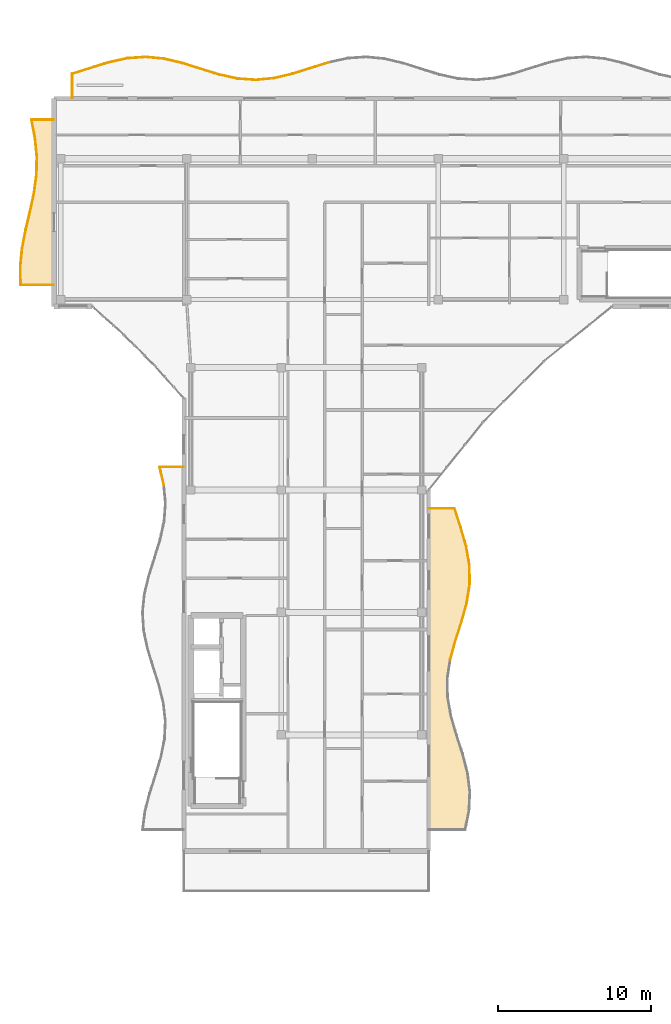
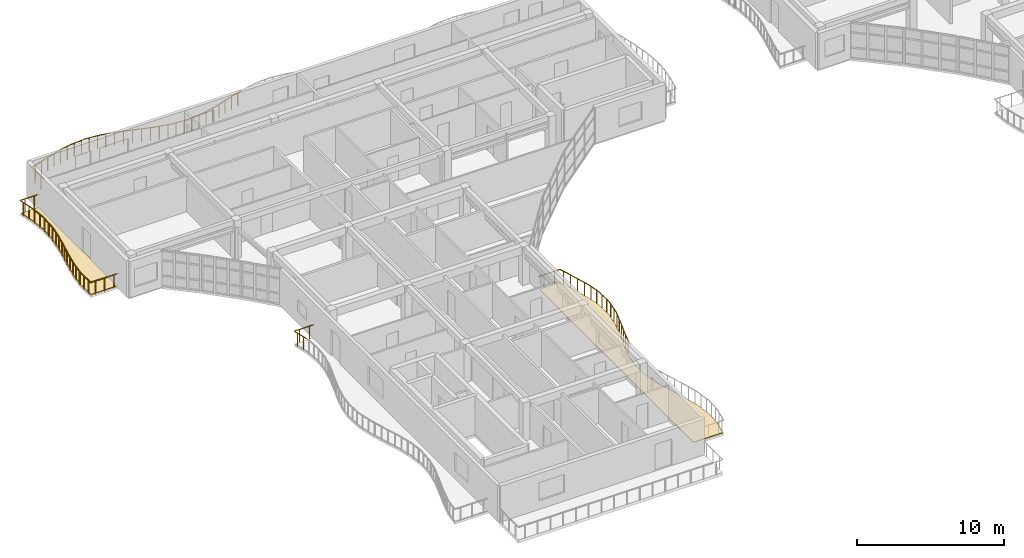
# One storey, part 38 of 49: 37 railings, 2 coverings.
"""IFC4 building model written with IfcOpenShell, lengths in metres."""

from ifc_helpers import new_model, si_unit, direction, frame, origin, origin_2d, place, context, subcontext, project, spatial, polyline, circle, outline, extrude, material, layer, layer_set, type_object, element, save


model = new_model("IFC4")

# Units and contexts
model_context = context("Model", 3, precision=1e-05, world=origin(), true_north=direction((0.0, 1.0)))
body_context = subcontext(model_context, "Body", "Model", "MODEL_VIEW")
ifc_project = project(units=[si_unit("LENGTHUNIT", "METRE"), si_unit("AREAUNIT", "SQUARE_METRE"), si_unit("VOLUMEUNIT", "CUBIC_METRE"), si_unit("PLANEANGLEUNIT", "RADIAN"), si_unit("MASSUNIT", "GRAM", prefix="KILO")], contexts=[model_context])

# Site, building, storey
site_placement = place(None, origin())
site = spatial("IfcSite", under=ifc_project, at=site_placement, CompositionType="ELEMENT")
building_placement = place(site_placement, origin())
building = spatial("IfcBuilding", under=site, at=building_placement, Name="Keldmere Railside Commons", CompositionType="ELEMENT")
storey_placement = place(building_placement, frame((0.0, 0.0, 29.760009765625)))
storey = spatial("IfcBuildingStorey", under=building, at=storey_placement, Name="L09", CompositionType="ELEMENT", Elevation=29.760009765625)

# Railings
ifc_material_1 = material(Name="Steel F-24 (S235)", Category="steel")
railing_type = type_object("IfcRailingType", Name="Balcony & Terrace Steel Balustrade 1100", PredefinedType="BALUSTRADE", material=ifc_material_1)
railing_1_placement = place(storey_placement, frame((40.699951171875, 113.60009765625, 0.0)))
element("IfcRailing", 1, at=railing_1_placement, inside=storey, type_object=railing_type, Name="GR-1 GRD-L09-1743", PredefinedType="BALUSTRADE", context=body_context, shape_type="SweptSolid", body=[
    extrude(circle(Radius=0.02392578125, at=origin_2d()), frame((0.0, 0.0, 1.076171875), z_axis=(0.0, 1.0, 0.0), x_axis=(-1.0, 0.0, 0.0)), (0.0, 0.0, 1.0), 1.601318359375),
    extrude(circle(Radius=0.02099609375, at=origin_2d()), frame((0.0, 0.400390625, 0.0)), (0.0, 0.0, 1.0), 1.048095703125),
    extrude(circle(Radius=0.02099609375, at=origin_2d()), frame((0.0, 1.200927734375, 0.0)), (0.0, 0.0, 1.0), 1.048095703125),
])
railing_2_placement = place(storey_placement, frame((40.699951171875, 115.201416015625, 0.0)))
element("IfcRailing", 2, at=railing_2_placement, inside=storey, type_object=railing_type, Name="GR-1 GRD-L09-1744", PredefinedType="BALUSTRADE", context=body_context, shape_type="SweptSolid", body=[
    extrude(circle(Radius=0.02392578125, at=origin_2d()), frame((0.0, 0.0, 1.076171875), z_axis=(0.953588529416, 0.301112797081, 0.0), x_axis=(-0.301112797081, 0.953588529416, 0.0)), (0.0, 0.0, 1.0), 1.25830078125),
    extrude(circle(Radius=0.02099609375, at=origin_2d()), frame((0.300048828125, 0.0947265625, 0.0)), (0.0, 0.0, 1.0), 1.048095703125),
    extrude(circle(Radius=0.02099609375, at=origin_2d()), frame((0.89990234375, 0.2841796875, 0.0)), (0.0, 0.0, 1.0), 1.048095703125),
])
railing_3_placement = place(storey_placement, frame((41.89990234375, 115.580322265625, 0.0)))
element("IfcRailing", 3, at=railing_3_placement, inside=storey, type_object=railing_type, Name="GR-1 GRD-L09-1745", PredefinedType="BALUSTRADE", context=body_context, shape_type="SweptSolid", body=[
    extrude(circle(Radius=0.02392578125, at=origin_2d()), frame((0.0, 0.0, 1.076171875), z_axis=(0.955484360809, 0.295041753399, 0.0), x_axis=(-0.295041753399, 0.955484360809, 0.0)), (0.0, 0.0, 1.0), 1.256103515625),
    extrude(circle(Radius=0.02099609375, at=origin_2d()), frame((0.300048828125, 0.0927734375, 0.0)), (0.0, 0.0, 1.0), 1.048095703125),
    extrude(circle(Radius=0.02099609375, at=origin_2d()), frame((0.900146484375, 0.27783203125, 0.0)), (0.0, 0.0, 1.0), 1.048095703125),
])
railing_4_placement = place(storey_placement, frame((43.10009765625, 115.950927734375, 0.0)))
element("IfcRailing", 4, at=railing_4_placement, inside=storey, type_object=railing_type, Name="GR-1 GRD-L09-1746", PredefinedType="BALUSTRADE", context=body_context, shape_type="SweptSolid", body=[
    extrude(circle(Radius=0.02392578125, at=origin_2d()), frame((0.0, 0.0, 1.076171875), z_axis=(0.976781887046, 0.214236190078, 0.0), x_axis=(-0.214236190078, 0.976781887046, 0.0)), (0.0, 0.0, 1.0), 1.228515625),
    extrude(circle(Radius=0.02099609375, at=origin_2d()), frame((0.300048828125, 0.06591796875, 0.0)), (0.0, 0.0, 1.0), 1.048095703125),
    extrude(circle(Radius=0.02099609375, at=origin_2d()), frame((0.89990234375, 0.197265625, 0.0)), (0.0, 0.0, 1.0), 1.048095703125),
])
railing_5_placement = place(storey_placement, frame((44.300048828125, 116.214111328125, 0.0)))
element("IfcRailing", 5, at=railing_5_placement, inside=storey, type_object=railing_type, Name="GR-1 GRD-L09-1747", PredefinedType="BALUSTRADE", context=body_context, shape_type="SweptSolid", body=[
    extrude(circle(Radius=0.02392578125, at=origin_2d()), frame((0.0, 0.0, 1.076171875), z_axis=(0.997488487704, 0.0708287858, 0.0), x_axis=(-0.0708287858, 0.997488487704, 0.0)), (0.0, 0.0, 1.0), 1.202880859375),
    extrude(circle(Radius=0.02099609375, at=origin_2d()), frame((0.300048828125, 0.021240234375, 0.0)), (0.0, 0.0, 1.0), 1.048095703125),
    extrude(circle(Radius=0.02099609375, at=origin_2d()), frame((0.89990234375, 0.06396484375, 0.0)), (0.0, 0.0, 1.0), 1.048095703125),
])
railing_6_placement = place(storey_placement, frame((45.5, 116.29931640625, 0.0)))
element("IfcRailing", 6, at=railing_6_placement, inside=storey, type_object=railing_type, Name="GR-1 GRD-L09-1748", PredefinedType="BALUSTRADE", context=body_context, shape_type="SweptSolid", body=[
    extrude(circle(Radius=0.02392578125, at=origin_2d()), frame((0.0, 0.0, 1.076171875), z_axis=(0.995401233596, -0.095793445268, 0.0), x_axis=(0.095793445268, 0.995401233596, 0.0)), (0.0, 0.0, 1.0), 1.20556640625),
    extrude(circle(Radius=0.02099609375, at=origin_2d()), frame((0.300048828125, -0.02880859375, 0.0)), (0.0, 0.0, 1.0), 1.048095703125),
    extrude(circle(Radius=0.02099609375, at=origin_2d()), frame((0.89990234375, -0.086669921875, 0.0)), (0.0, 0.0, 1.0), 1.048095703125),
])
railing_7_placement = place(storey_placement, frame((46.699951171875, 116.183837890625, 0.0)))
element("IfcRailing", 7, at=railing_7_placement, inside=storey, type_object=railing_type, Name="GR-1 GRD-L09-1749", PredefinedType="BALUSTRADE", context=body_context, shape_type="SweptSolid", body=[
    extrude(circle(Radius=0.02392578125, at=origin_2d()), frame((0.0, 0.0, 1.076171875), z_axis=(0.972861405577, -0.231388602873, 0.0), x_axis=(0.231388602873, 0.972861405577, 0.0)), (0.0, 0.0, 1.0), 1.2333984375),
    extrude(circle(Radius=0.02099609375, at=origin_2d()), frame((0.300048828125, -0.0712890625, 0.0)), (0.0, 0.0, 1.0), 1.048095703125),
    extrude(circle(Radius=0.02099609375, at=origin_2d()), frame((0.89990234375, -0.214111328125, 0.0)), (0.0, 0.0, 1.0), 1.048095703125),
])
railing_8_placement = place(storey_placement, frame((47.89990234375, 115.8984375, 0.0)))
element("IfcRailing", 8, at=railing_8_placement, inside=storey, type_object=railing_type, Name="GR-1 GRD-L09-1750", PredefinedType="BALUSTRADE", context=body_context, shape_type="SweptSolid", body=[
    extrude(circle(Radius=0.02392578125, at=origin_2d()), frame((0.0, 0.0, 1.076171875), z_axis=(0.95366179241, -0.300880683488, 0.0), x_axis=(0.300880683488, 0.95366179241, 0.0)), (0.0, 0.0, 1.0), 1.258544921875),
    extrude(circle(Radius=0.02099609375, at=origin_2d()), frame((0.300048828125, -0.0947265625, 0.0)), (0.0, 0.0, 1.0), 1.048095703125),
    extrude(circle(Radius=0.02099609375, at=origin_2d()), frame((0.900146484375, -0.283935546875, 0.0)), (0.0, 0.0, 1.0), 1.048095703125),
])
railing_9_placement = place(storey_placement, frame((49.10009765625, 115.519775390625, 0.0)))
element("IfcRailing", 9, at=railing_9_placement, inside=storey, type_object=railing_type, Name="GR-1 GRD-L09-1751", PredefinedType="BALUSTRADE", context=body_context, shape_type="SweptSolid", body=[
    extrude(circle(Radius=0.02392578125, at=origin_2d()), frame((0.0, 0.0, 1.076171875), z_axis=(0.95546743694, -0.295096555295, 0.0), x_axis=(0.295096555295, 0.95546743694, 0.0)), (0.0, 0.0, 1.0), 1.255859375),
    extrude(circle(Radius=0.02099609375, at=origin_2d()), frame((0.300048828125, -0.0927734375, 0.0)), (0.0, 0.0, 1.0), 1.048095703125),
    extrude(circle(Radius=0.02099609375, at=origin_2d()), frame((0.89990234375, -0.27783203125, 0.0)), (0.0, 0.0, 1.0), 1.048095703125),
])
railing_10_placement = place(storey_placement, frame((50.300048828125, 115.149169921875, 0.0)))
element("IfcRailing", 10, at=railing_10_placement, inside=storey, type_object=railing_type, Name="GR-1 GRD-L09-1752", PredefinedType="BALUSTRADE", context=body_context, shape_type="SweptSolid", body=[
    extrude(circle(Radius=0.02392578125, at=origin_2d()), frame((0.0, 0.0, 1.076171875), z_axis=(0.976781887046, -0.214236190078, 0.0), x_axis=(0.214236190078, 0.976781887046, 0.0)), (0.0, 0.0, 1.0), 1.228515625),
    extrude(circle(Radius=0.02099609375, at=origin_2d()), frame((0.300048828125, -0.06591796875, 0.0)), (0.0, 0.0, 1.0), 1.048095703125),
    extrude(circle(Radius=0.02099609375, at=origin_2d()), frame((0.89990234375, -0.197265625, 0.0)), (0.0, 0.0, 1.0), 1.048095703125),
])
railing_11_placement = place(storey_placement, frame((51.5, 114.885986328125, 0.0)))
element("IfcRailing", 11, at=railing_11_placement, inside=storey, type_object=railing_type, Name="GR-1 GRD-L09-1753", PredefinedType="BALUSTRADE", context=body_context, shape_type="SweptSolid", body=[
    extrude(circle(Radius=0.02392578125, at=origin_2d()), frame((0.0, 0.0, 1.076171875), z_axis=(0.997474129027, -0.071030711121, 0.0), x_axis=(0.071030711121, 0.997474129027, 0.0)), (0.0, 0.0, 1.0), 1.202880859375),
    extrude(circle(Radius=0.02099609375, at=origin_2d()), frame((0.300048828125, -0.021484375, 0.0)), (0.0, 0.0, 1.0), 1.048095703125),
    extrude(circle(Radius=0.02099609375, at=origin_2d()), frame((0.89990234375, -0.06396484375, 0.0)), (0.0, 0.0, 1.0), 1.048095703125),
])
railing_12_placement = place(storey_placement, frame((52.699951171875, 114.800537109375, 0.0)))
element("IfcRailing", 12, at=railing_12_placement, inside=storey, type_object=railing_type, Name="GR-1 GRD-L09-1754", PredefinedType="BALUSTRADE", context=body_context, shape_type="SweptSolid", body=[
    extrude(circle(Radius=0.02392578125, at=origin_2d()), frame((0.0, 0.0, 1.076171875), z_axis=(0.995381902574, 0.095994104134, 0.0), x_axis=(-0.095994104134, 0.995381902574, 0.0)), (0.0, 0.0, 1.0), 1.20556640625),
    extrude(circle(Radius=0.02099609375, at=origin_2d()), frame((0.300048828125, 0.02880859375, 0.0)), (0.0, 0.0, 1.0), 1.048095703125),
    extrude(circle(Radius=0.02099609375, at=origin_2d()), frame((0.89990234375, 0.0869140625, 0.0)), (0.0, 0.0, 1.0), 1.048095703125),
])
railing_13_placement = place(storey_placement, frame((53.89990234375, 114.916259765625, 0.0)))
element("IfcRailing", 13, at=railing_13_placement, inside=storey, type_object=railing_type, Name="GR-1 GRD-L09-1755", PredefinedType="BALUSTRADE", context=body_context, shape_type="SweptSolid", body=[
    extrude(circle(Radius=0.02392578125, at=origin_2d()), frame((0.0, 0.0, 1.076171875), z_axis=(0.972916525002, 0.231156733361, 0.0), x_axis=(-0.231156733361, 0.972916525002, 0.0)), (0.0, 0.0, 1.0), 1.233642578125),
    extrude(circle(Radius=0.02099609375, at=origin_2d()), frame((0.300048828125, 0.0712890625, 0.0)), (0.0, 0.0, 1.0), 1.048095703125),
    extrude(circle(Radius=0.02099609375, at=origin_2d()), frame((0.900146484375, 0.2138671875, 0.0)), (0.0, 0.0, 1.0), 1.048095703125),
])
railing_14_placement = place(storey_placement, frame((55.10009765625, 115.201416015625, 0.0)))
element("IfcRailing", 14, at=railing_14_placement, inside=storey, type_object=railing_type, Name="GR-1 GRD-L09-1756", PredefinedType="BALUSTRADE", context=body_context, shape_type="SweptSolid", body=[
    extrude(circle(Radius=0.02392578125, at=origin_2d()), frame((0.0, 0.0, 1.076171875), z_axis=(0.953588529416, 0.301112797081, 0.0), x_axis=(-0.301112797081, 0.953588529416, 0.0)), (0.0, 0.0, 1.0), 1.25830078125),
    extrude(circle(Radius=0.02099609375, at=origin_2d()), frame((0.300048828125, 0.0947265625, 0.0)), (0.0, 0.0, 1.0), 1.048095703125),
    extrude(circle(Radius=0.02099609375, at=origin_2d()), frame((0.89990234375, 0.2841796875, 0.0)), (0.0, 0.0, 1.0), 1.048095703125),
])
railing_15_placement = place(storey_placement, frame((56.300048828125, 115.580322265625, 0.0)))
element("IfcRailing", 15, at=railing_15_placement, inside=storey, type_object=railing_type, Name="GR-1 GRD-L09-1757", PredefinedType="BALUSTRADE", context=body_context, shape_type="SweptSolid", body=[
    extrude(circle(Radius=0.02392578125, at=origin_2d()), frame((0.0, 0.0, 1.076171875), z_axis=(0.95546743694, 0.295096555295, 0.0), x_axis=(-0.295096555295, 0.95546743694, 0.0)), (0.0, 0.0, 1.0), 1.255859375),
    extrude(circle(Radius=0.02099609375, at=origin_2d()), frame((0.300048828125, 0.0927734375, 0.0)), (0.0, 0.0, 1.0), 1.048095703125),
    extrude(circle(Radius=0.02099609375, at=origin_2d()), frame((0.89990234375, 0.27783203125, 0.0)), (0.0, 0.0, 1.0), 1.048095703125),
])
railing_16_placement = place(storey_placement, frame((65.404052734375, 76.91748046875, 0.0)))
element("IfcRailing", 16, at=railing_16_placement, inside=storey, type_object=railing_type, Name="GR-1 GRD-L09-1788", PredefinedType="BALUSTRADE", context=body_context, shape_type="SweptSolid", body=[
    extrude(circle(Radius=0.02392578125, at=origin_2d()), frame((0.0, 0.0, 1.076171875), z_axis=(0.26630743523, 0.96388814182, 0.0), x_axis=(-0.96388814182, 0.26630743523, 0.0)), (0.0, 0.0, 1.0), 1.28173828125),
    extrude(circle(Radius=0.02099609375, at=origin_2d()), frame((0.08544921875, 0.308837890625, 0.0)), (0.0, 0.0, 1.0), 1.048095703125),
    extrude(circle(Radius=0.02099609375, at=origin_2d()), frame((0.255859375, 0.926513671875, 0.0)), (0.0, 0.0, 1.0), 1.048095703125),
])
railing_17_placement = place(storey_placement, frame((65.745361328125, 78.15283203125, 0.0)))
element("IfcRailing", 17, at=railing_17_placement, inside=storey, type_object=railing_type, Name="GR-1 GRD-L09-1789", PredefinedType="BALUSTRADE", context=body_context, shape_type="SweptSolid", body=[
    extrude(circle(Radius=0.02392578125, at=origin_2d()), frame((0.0, 0.0, 1.076171875), z_axis=(0.307640040347, 0.951502814276, 0.0), x_axis=(-0.951502814276, 0.307640040347, 0.0)), (0.0, 0.0, 1.0), 1.29833984375),
    extrude(circle(Radius=0.02099609375, at=origin_2d()), frame((0.099853515625, 0.308837890625, 0.0)), (0.0, 0.0, 1.0), 1.048095703125),
    extrude(circle(Radius=0.02099609375, at=origin_2d()), frame((0.299560546875, 0.926513671875, 0.0)), (0.0, 0.0, 1.0), 1.048095703125),
])
railing_18_placement = place(storey_placement, frame((66.144775390625, 79.38818359375, 0.0)))
element("IfcRailing", 18, at=railing_18_placement, inside=storey, type_object=railing_type, Name="GR-1 GRD-L09-1790", PredefinedType="BALUSTRADE", context=body_context, shape_type="SweptSolid", body=[
    extrude(circle(Radius=0.02392578125, at=origin_2d()), frame((0.0, 0.0, 1.076171875), z_axis=(0.268429277822, 0.96329939417, 0.0), x_axis=(-0.96329939417, 0.268429277822, 0.0)), (0.0, 0.0, 1.0), 1.282470703125),
    extrude(circle(Radius=0.02099609375, at=origin_2d()), frame((0.0859375, 0.308837890625, 0.0)), (0.0, 0.0, 1.0), 1.048095703125),
    extrude(circle(Radius=0.02099609375, at=origin_2d()), frame((0.25830078125, 0.926513671875, 0.0)), (0.0, 0.0, 1.0), 1.048095703125),
])
railing_19_placement = place(storey_placement, frame((66.489013671875, 80.62353515625, 0.0)))
element("IfcRailing", 19, at=railing_19_placement, inside=storey, type_object=railing_type, Name="GR-1 GRD-L09-1791", PredefinedType="BALUSTRADE", context=body_context, shape_type="SweptSolid", body=[
    extrude(circle(Radius=0.02392578125, at=origin_2d()), frame((0.0, 0.0, 1.076171875), z_axis=(0.152923011148, 0.988238105247, 0.0), x_axis=(-0.988238105247, 0.152923011148, 0.0)), (0.0, 0.0, 1.0), 1.25),
    extrude(circle(Radius=0.02099609375, at=origin_2d()), frame((0.0478515625, 0.308837890625, 0.0)), (0.0, 0.0, 1.0), 1.048095703125),
    extrude(circle(Radius=0.02099609375, at=origin_2d()), frame((0.143310546875, 0.926513671875, 0.0)), (0.0, 0.0, 1.0), 1.048095703125),
])
railing_20_placement = place(storey_placement, frame((66.68017578125, 81.85888671875, 0.0)))
element("IfcRailing", 20, at=railing_20_placement, inside=storey, type_object=railing_type, Name="GR-1 GRD-L09-1792", PredefinedType="BALUSTRADE", context=body_context, shape_type="SweptSolid", body=[
    extrude(circle(Radius=0.02392578125, at=origin_2d()), frame((0.0, 0.0, 1.076171875), z_axis=(-0.012649709292, 0.999919989227, 0.0), x_axis=(-0.999919989227, -0.012649709292, 0.0)), (0.0, 0.0, 1.0), 1.235107421875),
    extrude(circle(Radius=0.02099609375, at=origin_2d()), frame((-0.00390625, 0.308837890625, 0.0)), (0.0, 0.0, 1.0), 1.048095703125),
    extrude(circle(Radius=0.02099609375, at=origin_2d()), frame((-0.01171875, 0.92626953125, 0.0)), (0.0, 0.0, 1.0), 1.048095703125),
])
railing_21_placement = place(storey_placement, frame((66.66455078125, 83.093994140625, 0.0)))
element("IfcRailing", 21, at=railing_21_placement, inside=storey, type_object=railing_type, Name="GR-1 GRD-L09-1793", PredefinedType="BALUSTRADE", context=body_context, shape_type="SweptSolid", body=[
    extrude(circle(Radius=0.02392578125, at=origin_2d()), frame((0.0, 0.0, 1.076171875), z_axis=(-0.173985169159, 0.984748272866, 0.0), x_axis=(-0.984748272866, -0.173985169159, 0.0)), (0.0, 0.0, 1.0), 1.25439453125),
    extrude(circle(Radius=0.02099609375, at=origin_2d()), frame((-0.0546875, 0.308837890625, 0.0)), (0.0, 0.0, 1.0), 1.048095703125),
    extrude(circle(Radius=0.02099609375, at=origin_2d()), frame((-0.16357421875, 0.926513671875, 0.0)), (0.0, 0.0, 1.0), 1.048095703125),
])
railing_22_placement = place(storey_placement, frame((66.4462890625, 84.329345703125, 0.0)))
element("IfcRailing", 22, at=railing_22_placement, inside=storey, type_object=railing_type, Name="GR-1 GRD-L09-1794", PredefinedType="BALUSTRADE", context=body_context, shape_type="SweptSolid", body=[
    extrude(circle(Radius=0.02392578125, at=origin_2d()), frame((0.0, 0.0, 1.076171875), z_axis=(-0.279154571177, 0.960246179576, 0.0), x_axis=(-0.960246179576, -0.279154571177, 0.0)), (0.0, 0.0, 1.0), 1.286376953125),
    extrude(circle(Radius=0.02099609375, at=origin_2d()), frame((-0.08984375, 0.308837890625, 0.0)), (0.0, 0.0, 1.0), 1.048095703125),
    extrude(circle(Radius=0.02099609375, at=origin_2d()), frame((-0.269287109375, 0.926513671875, 0.0)), (0.0, 0.0, 1.0), 1.048095703125),
])
railing_23_placement = place(storey_placement, frame((66.087158203125, 85.564697265625, 0.0)))
element("IfcRailing", 23, at=railing_23_placement, inside=storey, type_object=railing_type, Name="GR-1 GRD-L09-1795", PredefinedType="BALUSTRADE", context=body_context, shape_type="SweptSolid", body=[
    extrude(circle(Radius=0.02392578125, at=origin_2d()), frame((0.0, 0.0, 1.076171875), z_axis=(-0.306618026276, 0.951832645985, 0.0), x_axis=(-0.951832645985, -0.306618026276, 0.0)), (0.0, 0.0, 1.0), 1.2978515625),
    extrude(circle(Radius=0.02099609375, at=origin_2d()), frame((-0.099609375, 0.308837890625, 0.0)), (0.0, 0.0, 1.0), 1.048095703125),
    extrude(circle(Radius=0.02099609375, at=origin_2d()), frame((-0.29833984375, 0.926513671875, 0.0)), (0.0, 0.0, 1.0), 1.048095703125),
])
railing_24_placement = place(storey_placement, frame((65.689208984375, 86.800048828125, 0.0)))
element("IfcRailing", 24, at=railing_24_placement, inside=storey, type_object=railing_type, Name="GR-1 GRD-L09-1796", PredefinedType="BALUSTRADE", context=body_context, shape_type="SweptSolid", body=[
    extrude(circle(Radius=0.02392578125, at=origin_2d()), frame((0.0, 0.0, 1.076171875), z_axis=(-1.0, 0.0, 0.0), x_axis=(0.0, -1.0, 0.0)), (0.0, 0.0, 1.0), 1.689208984375),
    extrude(circle(Radius=0.02099609375, at=origin_2d()), frame((-0.42236328125, 0.0, 0.0)), (0.0, 0.0, 1.0), 1.048095703125),
    extrude(circle(Radius=0.02099609375, at=origin_2d()), frame((-1.266845703125, 0.0, 0.0)), (0.0, 0.0, 1.0), 1.048095703125),
])
railing_25_placement = place(storey_placement, frame((46.691162109375, 88.31494140625, 0.0)))
element("IfcRailing", 25, at=railing_25_placement, inside=storey, type_object=railing_type, Name="GR-1 GRD-L09-1817", PredefinedType="BALUSTRADE", context=body_context, shape_type="SweptSolid", body=[
    extrude(circle(Radius=0.02392578125, at=origin_2d()), frame((0.0, 0.0, 1.076171875), z_axis=(-0.226925154267, 0.97391220054, 0.0), x_axis=(-0.97391220054, -0.226925154267, 0.0)), (0.0, 0.0, 1.0), 1.216796875),
    extrude(circle(Radius=0.02099609375, at=origin_2d()), frame((-0.069091796875, 0.29638671875, 0.0)), (0.0, 0.0, 1.0), 1.048095703125),
    extrude(circle(Radius=0.02099609375, at=origin_2d()), frame((-0.20703125, 0.888671875, 0.0)), (0.0, 0.0, 1.0), 1.048095703125),
])
railing_26_placement = place(storey_placement, frame((46.4150390625, 89.5, 0.0)))
element("IfcRailing", 26, at=railing_26_placement, inside=storey, type_object=railing_type, Name="GR-1 GRD-L09-1818", PredefinedType="BALUSTRADE", context=body_context, shape_type="SweptSolid", body=[
    extrude(circle(Radius=0.02392578125, at=origin_2d()), frame((0.0, 0.0, 1.076171875), z_axis=(1.0, 0.0, 0.0), x_axis=(0.0, 1.0, 0.0)), (0.0, 0.0, 1.0), 1.5849609375),
    extrude(circle(Radius=0.02099609375, at=origin_2d()), frame((0.396240234375, 0.0, 0.0)), (0.0, 0.0, 1.0), 1.048095703125),
    extrude(circle(Radius=0.02099609375, at=origin_2d()), frame((1.188720703125, 0.0, 0.0)), (0.0, 0.0, 1.0), 1.048095703125),
])
railing_27_placement = place(storey_placement, frame((39.5, 101.39990234375, 0.0)))
element("IfcRailing", 27, at=railing_27_placement, inside=storey, type_object=railing_type, Name="GR-1 GRD-L09-1830", PredefinedType="BALUSTRADE", context=body_context, shape_type="SweptSolid", body=[
    extrude(circle(Radius=0.02392578125, at=origin_2d()), frame((0.0, 0.0, 1.076171875), z_axis=(-1.0, 0.0, 0.0), x_axis=(0.0, -1.0, 0.0)), (0.0, 0.0, 1.0), 2.166015625),
    extrude(circle(Radius=0.02099609375, at=origin_2d()), frame((-0.361083984375, 0.0, 0.0)), (0.0, 0.0, 1.0), 1.048095703125),
    extrude(circle(Radius=0.02099609375, at=origin_2d()), frame((-1.0830078125, 0.0, 0.0)), (0.0, 0.0, 1.0), 1.048095703125),
    extrude(circle(Radius=0.02099609375, at=origin_2d()), frame((-1.804931640625, 0.0, 0.0)), (0.0, 0.0, 1.0), 1.048095703125),
])
railing_28_placement = place(storey_placement, frame((37.333984375, 101.39990234375, 0.0)))
element("IfcRailing", 28, at=railing_28_placement, inside=storey, type_object=railing_type, Name="GR-1 GRD-L09-1831", PredefinedType="BALUSTRADE", context=body_context, shape_type="SweptSolid", body=[
    extrude(circle(Radius=0.02392578125, at=origin_2d()), frame((0.0, 0.0, 1.076171875), z_axis=(-0.021760509295, 0.999763212083, 0.0), x_axis=(-0.999763212083, -0.021760509295, 0.0)), (0.0, 0.0, 1.0), 1.200439453125),
    extrude(circle(Radius=0.02099609375, at=origin_2d()), frame((-0.006591796875, 0.300048828125, 0.0)), (0.0, 0.0, 1.0), 1.048095703125),
    extrude(circle(Radius=0.02099609375, at=origin_2d()), frame((-0.01953125, 0.900146484375, 0.0)), (0.0, 0.0, 1.0), 1.048095703125),
])
railing_29_placement = place(storey_placement, frame((37.307861328125, 102.60009765625, 0.0)))
element("IfcRailing", 29, at=railing_29_placement, inside=storey, type_object=railing_type, Name="GR-1 GRD-L09-1832", PredefinedType="BALUSTRADE", context=body_context, shape_type="SweptSolid", body=[
    extrude(circle(Radius=0.02392578125, at=origin_2d()), frame((0.0, 0.0, 1.076171875), z_axis=(0.098802088802, 0.995107103406, 0.0), x_axis=(-0.995107103406, 0.098802088802, 0.0)), (0.0, 0.0, 1.0), 1.205810546875),
    extrude(circle(Radius=0.02099609375, at=origin_2d()), frame((0.02978515625, 0.300048828125, 0.0)), (0.0, 0.0, 1.0), 1.048095703125),
    extrude(circle(Radius=0.02099609375, at=origin_2d()), frame((0.08935546875, 0.89990234375, 0.0)), (0.0, 0.0, 1.0), 1.048095703125),
])
railing_30_placement = place(storey_placement, frame((37.427001953125, 103.800048828125, 0.0)))
element("IfcRailing", 30, at=railing_30_placement, inside=storey, type_object=railing_type, Name="GR-1 GRD-L09-1833", PredefinedType="BALUSTRADE", context=body_context, shape_type="SweptSolid", body=[
    extrude(circle(Radius=0.02392578125, at=origin_2d()), frame((0.0, 0.0, 1.076171875), z_axis=(0.190158541659, 0.981753395224, 0.0), x_axis=(-0.981753395224, 0.190158541659, 0.0)), (0.0, 0.0, 1.0), 1.22216796875),
    extrude(circle(Radius=0.02099609375, at=origin_2d()), frame((0.05810546875, 0.300048828125, 0.0)), (0.0, 0.0, 1.0), 1.048095703125),
    extrude(circle(Radius=0.02099609375, at=origin_2d()), frame((0.17431640625, 0.89990234375, 0.0)), (0.0, 0.0, 1.0), 1.048095703125),
])
railing_31_placement = place(storey_placement, frame((37.659423828125, 105.0, 0.0)))
element("IfcRailing", 31, at=railing_31_placement, inside=storey, type_object=railing_type, Name="GR-1 GRD-L09-1834", PredefinedType="BALUSTRADE", context=body_context, shape_type="SweptSolid", body=[
    extrude(circle(Radius=0.02392578125, at=origin_2d()), frame((0.0, 0.0, 1.076171875), z_axis=(0.229889064392, 0.973216840212, 0.0), x_axis=(-0.973216840212, 0.229889064392, 0.0)), (0.0, 0.0, 1.0), 1.23291015625),
    extrude(circle(Radius=0.02099609375, at=origin_2d()), frame((0.07080078125, 0.300048828125, 0.0)), (0.0, 0.0, 1.0), 1.048095703125),
    extrude(circle(Radius=0.02099609375, at=origin_2d()), frame((0.212646484375, 0.89990234375, 0.0)), (0.0, 0.0, 1.0), 1.048095703125),
])
railing_32_placement = place(storey_placement, frame((37.94287109375, 106.199951171875, 0.0)))
element("IfcRailing", 32, at=railing_32_placement, inside=storey, type_object=railing_type, Name="GR-1 GRD-L09-1835", PredefinedType="BALUSTRADE", context=body_context, shape_type="SweptSolid", body=[
    extrude(circle(Radius=0.02392578125, at=origin_2d()), frame((0.0, 0.0, 1.076171875), z_axis=(0.210629181762, 0.977566032445, 0.0), x_axis=(-0.977566032445, 0.210629181762, 0.0)), (0.0, 0.0, 1.0), 1.2275390625),
    extrude(circle(Radius=0.02099609375, at=origin_2d()), frame((0.064697265625, 0.300048828125, 0.0)), (0.0, 0.0, 1.0), 1.048095703125),
    extrude(circle(Radius=0.02099609375, at=origin_2d()), frame((0.19384765625, 0.89990234375, 0.0)), (0.0, 0.0, 1.0), 1.048095703125),
])
railing_33_placement = place(storey_placement, frame((38.201416015625, 107.39990234375, 0.0)))
element("IfcRailing", 33, at=railing_33_placement, inside=storey, type_object=railing_type, Name="GR-1 GRD-L09-1836", PredefinedType="BALUSTRADE", context=body_context, shape_type="SweptSolid", body=[
    extrude(circle(Radius=0.02392578125, at=origin_2d()), frame((0.0, 0.0, 1.076171875), z_axis=(0.135832634619, 0.990731797901, 0.0), x_axis=(-0.990731797901, 0.135832634619, 0.0)), (0.0, 0.0, 1.0), 1.21142578125),
    extrude(circle(Radius=0.02099609375, at=origin_2d()), frame((0.041015625, 0.300048828125, 0.0)), (0.0, 0.0, 1.0), 1.048095703125),
    extrude(circle(Radius=0.02099609375, at=origin_2d()), frame((0.12353515625, 0.900146484375, 0.0)), (0.0, 0.0, 1.0), 1.048095703125),
])
railing_34_placement = place(storey_placement, frame((38.365966796875, 108.60009765625, 0.0)))
element("IfcRailing", 34, at=railing_34_placement, inside=storey, type_object=railing_type, Name="GR-1 GRD-L09-1837", PredefinedType="BALUSTRADE", context=body_context, shape_type="SweptSolid", body=[
    extrude(circle(Radius=0.02392578125, at=origin_2d()), frame((0.0, 0.0, 1.076171875), z_axis=(0.021764934565, 0.999763115755, 0.0), x_axis=(-0.999763115755, 0.021764934565, 0.0)), (0.0, 0.0, 1.0), 1.2001953125),
    extrude(circle(Radius=0.02099609375, at=origin_2d()), frame((0.006591796875, 0.300048828125, 0.0)), (0.0, 0.0, 1.0), 1.048095703125),
    extrude(circle(Radius=0.02099609375, at=origin_2d()), frame((0.01953125, 0.89990234375, 0.0)), (0.0, 0.0, 1.0), 1.048095703125),
])
railing_35_placement = place(storey_placement, frame((38.39208984375, 109.800048828125, 0.0)))
element("IfcRailing", 35, at=railing_35_placement, inside=storey, type_object=railing_type, Name="GR-1 GRD-L09-1838", PredefinedType="BALUSTRADE", context=body_context, shape_type="SweptSolid", body=[
    extrude(circle(Radius=0.02392578125, at=origin_2d()), frame((0.0, 0.0, 1.076171875), z_axis=(-0.09860159591, 0.995126989526, 0.0), x_axis=(-0.995126989526, -0.09860159591, 0.0)), (0.0, 0.0, 1.0), 1.205810546875),
    extrude(circle(Radius=0.02099609375, at=origin_2d()), frame((-0.02978515625, 0.300048828125, 0.0)), (0.0, 0.0, 1.0), 1.048095703125),
    extrude(circle(Radius=0.02099609375, at=origin_2d()), frame((-0.089111328125, 0.89990234375, 0.0)), (0.0, 0.0, 1.0), 1.048095703125),
])
railing_36_placement = place(storey_placement, frame((38.273193359375, 111.0, 0.0)))
element("IfcRailing", 36, at=railing_36_placement, inside=storey, type_object=railing_type, Name="GR-1 GRD-L09-1839", PredefinedType="BALUSTRADE", context=body_context, shape_type="SweptSolid", body=[
    extrude(circle(Radius=0.02392578125, at=origin_2d()), frame((0.0, 0.0, 1.076171875), z_axis=(-0.190351054171, 0.981716087357, 0.0), x_axis=(-0.981716087357, -0.190351054171, 0.0)), (0.0, 0.0, 1.0), 1.222412109375),
    extrude(circle(Radius=0.02099609375, at=origin_2d()), frame((-0.05810546875, 0.300048828125, 0.0)), (0.0, 0.0, 1.0), 1.048095703125),
    extrude(circle(Radius=0.02099609375, at=origin_2d()), frame((-0.174560546875, 0.89990234375, 0.0)), (0.0, 0.0, 1.0), 1.048095703125),
])
railing_37_placement = place(storey_placement, frame((38.04052734375, 112.199951171875, 0.0)))
element("IfcRailing", 37, at=railing_37_placement, inside=storey, type_object=railing_type, Name="GR-1 GRD-L09-1840", PredefinedType="BALUSTRADE", context=body_context, shape_type="SweptSolid", body=[
    extrude(circle(Radius=0.02392578125, at=origin_2d()), frame((0.0, 0.0, 1.076171875), z_axis=(1.0, 0.0, 0.0), x_axis=(0.0, 1.0, 0.0)), (0.0, 0.0, 1.0), 1.45947265625),
    extrude(circle(Radius=0.02099609375, at=origin_2d()), frame((0.36474609375, 0.0, 0.0)), (0.0, 0.0, 1.0), 1.048095703125),
    extrude(circle(Radius=0.02099609375, at=origin_2d()), frame((1.0947265625, 0.0, 0.0)), (0.0, 0.0, 1.0), 1.048095703125),
])

# Coverings
ifc_material_2 = material(Name="White Precast Concrete C35/45", Category="concrete")
ifc_layer = layer(ifc_material_2, 0.044921875, Name="White Architectural Balcony Ribbon Cladding 45")
ifc_layer_set = layer_set([ifc_layer], Name="White Precast Concrete C35/45")
covering_type = type_object("IfcCoveringType", Name="White Architectural Balcony Ribbon Cladding 45", PredefinedType="FLOORING", material=ifc_layer_set)
covering_1_placement = place(storey_placement, origin())
element("IfcCovering", 38, at=covering_1_placement, inside=storey, type_object=covering_type, Name="CLG-WB C L09 CE White Balcony Ribbon", PredefinedType="FLOORING", context=body_context, shape_type="SweptSolid", body=[
    extrude(outline(polyline([(66.596435546875, 67.040283203125), (66.654052734375, 68.26904296875), (66.501708984375, 69.498291015625), (66.181884765625, 70.72998046875), (65.784912109375, 71.964111328125), (65.784423828125, 71.96533203125), (65.423095703125, 73.20068359375), (65.422119140625, 73.20458984375), (65.19921875, 74.43994140625), (65.198974609375, 74.443115234375), (65.19873046875, 74.4462890625), (65.177490234375, 75.681640625), (65.177490234375, 75.68505859375), (65.177978515625, 75.6884765625), (65.364501953125, 76.923583984375), (65.365478515625, 76.92822265625), (65.706787109375, 78.16357421875), (65.707275390625, 78.165283203125), (66.1064453125, 79.399658203125), (66.44970703125, 80.632080078125), (66.64013671875, 81.861572265625), (66.62451171875, 83.09033203125), (66.4072265625, 84.3203125), (66.048828125, 85.552978515625), (65.66015625, 86.760009765625), (64.0400390625, 86.760009765625), (64.0400390625, 65.840087890625), (66.35107421875, 65.840087890625), (66.596435546875, 67.040283203125)])), origin(), (0.0, 0.0, 1.0), 0.044921875),
])
covering_2_placement = place(storey_placement, origin())
element("IfcCovering", 39, at=covering_2_placement, inside=storey, type_object=covering_type, Name="CLG-WB C L09 WW White Balcony Ribbon", PredefinedType="FLOORING", context=body_context, shape_type="SweptSolid", body=[
    extrude(outline(polyline([(39.4599609375, 112.159912109375), (38.089111328125, 112.159912109375), (38.3125, 111.007568359375), (38.31298828125, 111.00390625), (38.431884765625, 109.803955078125), (38.43212890625, 109.799072265625), (38.406005859375, 108.59912109375), (38.405517578125, 108.594482421875), (38.2412109375, 107.39453125), (38.240478515625, 107.3916015625), (37.98193359375, 106.191650390625), (37.981689453125, 106.19091796875), (37.698486328125, 104.99169921875), (37.466552734375, 103.794189453125), (37.347900390625, 102.598388671875), (37.373291015625, 101.43994140625), (39.4599609375, 101.43994140625), (39.4599609375, 112.159912109375)])), origin(), (0.0, 0.0, 1.0), 0.044921875),
])

save(model, "model.ifc")
